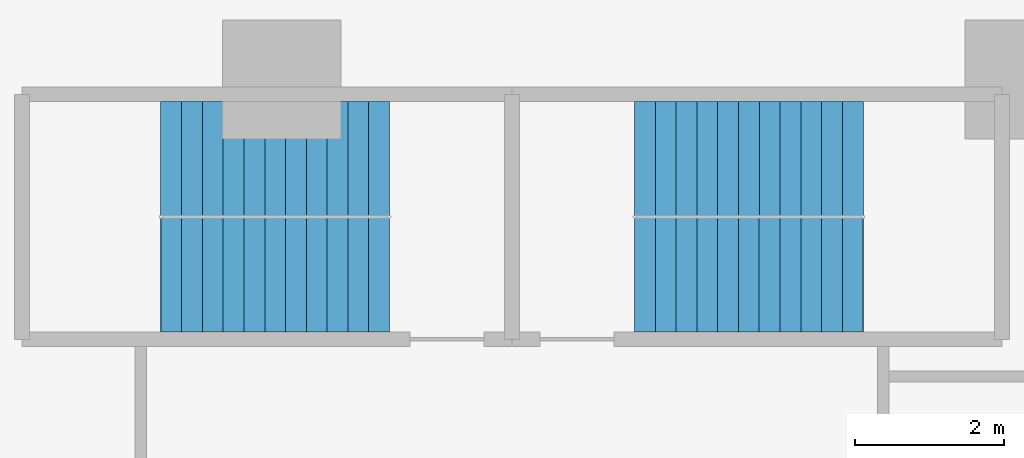
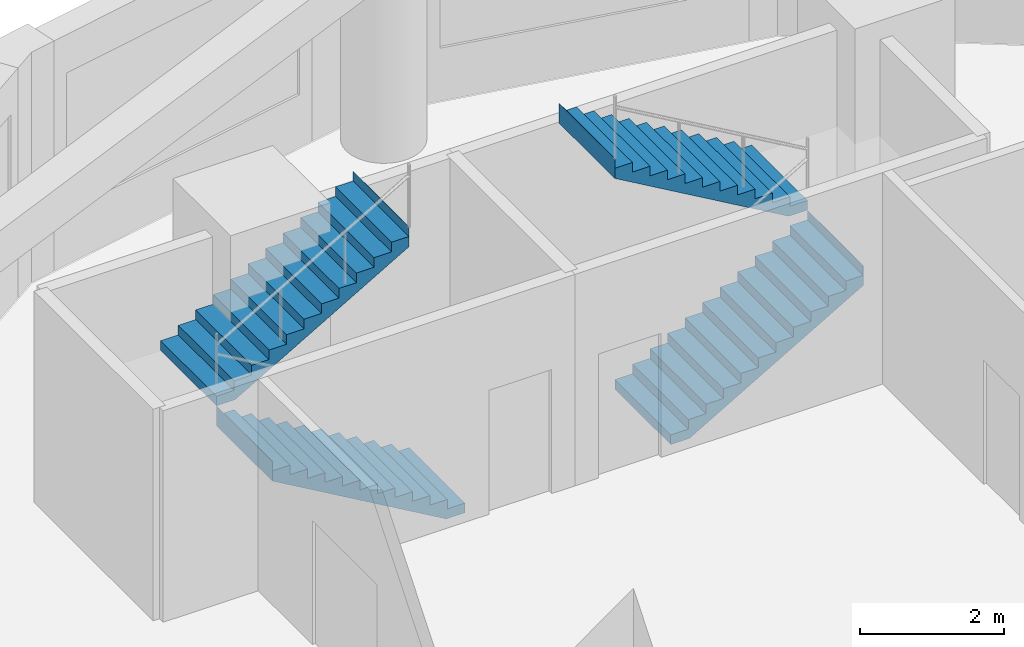
# One storey, part 8 of 10: 4 stair flights, 2 elements without a shape of their own.
"""IFC4 building model written with IfcOpenShell, lengths in metres."""

from ifc_helpers import new_model, si_unit, direction, frame, origin, place, context, subcontext, project, spatial, polyline, outline, extrude, material, type_object, element, aggregate, save


model = new_model("IFC4")

# Units and contexts
model_context = context("Model", 3, precision=1e-05, world=origin(), true_north=direction((0.0, 1.0)))
body_context = subcontext(model_context, "Body", "Model", "MODEL_VIEW")
ifc_project = project(units=[si_unit("LENGTHUNIT", "METRE"), si_unit("AREAUNIT", "SQUARE_METRE"), si_unit("VOLUMEUNIT", "CUBIC_METRE"), si_unit("PLANEANGLEUNIT", "RADIAN"), si_unit("MASSUNIT", "GRAM", prefix="KILO")], contexts=[model_context])

# Site, building, storey
site_placement = place(None, origin())
site = spatial("IfcSite", under=ifc_project, at=site_placement, CompositionType="ELEMENT")
building_placement = place(site_placement, origin())
building = spatial("IfcBuilding", under=site, at=building_placement, Name="Qaws Garden Tower", CompositionType="ELEMENT")
storey_placement = place(building_placement, frame((0.0, 0.0, 35.39990234375)))
storey = spatial("IfcBuildingStorey", under=building, at=storey_placement, Name="L08", CompositionType="ELEMENT", Elevation=35.39990234375)

# Stair, stair flights
ifc_material_1 = material(Name="Concrete C40", Category="concrete")
stair_type = type_object("IfcStairType", Name="Exit stair 1350", PredefinedType="HALF_TURN_STAIR", material=ifc_material_1)
placement = place(storey_placement, origin())
stair_1 = element("IfcStair", 1, at=placement, inside=storey, type_object=stair_type, Name="Stair 6", PredefinedType="HALF_TURN_STAIR")
ifc_material_2 = material(Name="Concrete C40", Category="concrete")
stair_flight_type = type_object("IfcStairFlightType", Name="Stair flight 1350", PredefinedType="STRAIGHT", material=ifc_material_2)
stair_flight_1_placement = place(storey_placement, frame((11.449951171875, 67.375, 0.0), z_axis=(0.0, 0.0, 1.0), x_axis=(-1.0, 0.0, 0.0)))
stair_flight_1 = element("IfcStairFlight", 2, at=stair_flight_1_placement, type_object=stair_flight_type, Name="ST6 flight 1", NumberOfRisers=12, NumberOfTreads=11, PredefinedType="STRAIGHT", RiserHeight=0.1625, TreadLength=0.28, context=body_context, shape_type="SweptSolid", body=[
    extrude(outline(polyline([(-0.0029296875, 0.0), (-0.0029296875, 0.16259765625), (0.0, 0.16259765625), (0.280029296875, 0.16259765625), (0.280029296875, 0.324951171875), (0.56005859375, 0.324951171875), (0.56005859375, 0.487548828125), (0.840087890625, 0.487548828125), (0.840087890625, 0.64990234375), (1.1201171875, 0.64990234375), (1.1201171875, 0.8125), (1.39990234375, 0.8125), (1.39990234375, 0.97509765625), (1.679931640625, 0.97509765625), (1.679931640625, 1.137451171875), (1.9599609375, 1.137451171875), (1.9599609375, 1.300048828125), (2.239990234375, 1.300048828125), (2.239990234375, 1.46240234375), (2.52001953125, 1.46240234375), (2.52001953125, 1.625), (2.800048828125, 1.625), (2.800048828125, 1.78759765625), (3.080078125, 1.78759765625), (3.080078125, 1.949951171875), (3.0830078125, 1.949951171875), (3.0830078125, 1.6142578125), (3.080078125, 1.6142578125), (0.298583984375, 0.0), (-0.0029296875, 0.0)])), frame((0.0, 0.77490234375, 0.0), z_axis=(0.0, -1.0, 0.0), x_axis=(1.0, 0.0, 0.0)), (0.0, 0.0, 1.0), 1.550048828125),
])
stair_flight_2_placement = place(storey_placement, frame((8.3701171875, 68.925048828125, 1.9501953125), z_axis=(0.0, 0.0, 1.0), x_axis=(1.0, 0.0, 0.0)))
stair_flight_2 = element("IfcStairFlight", 3, at=stair_flight_2_placement, type_object=stair_flight_type, Name="ST6 flight 2", NumberOfRisers=12, NumberOfTreads=11, PredefinedType="STRAIGHT", RiserHeight=0.1625, TreadLength=0.28, context=body_context, shape_type="SweptSolid", body=[
    extrude(outline(polyline([(-0.0029296875, 0.0), (-0.0029296875, 0.16259765625), (0.0, 0.16259765625), (0.280029296875, 0.16259765625), (0.280029296875, 0.324951171875), (0.56005859375, 0.324951171875), (0.56005859375, 0.487548828125), (0.840087890625, 0.487548828125), (0.840087890625, 0.64990234375), (1.1201171875, 0.64990234375), (1.1201171875, 0.8125), (1.39990234375, 0.8125), (1.39990234375, 0.97509765625), (1.679931640625, 0.97509765625), (1.679931640625, 1.137451171875), (1.9599609375, 1.137451171875), (1.9599609375, 1.300048828125), (2.239990234375, 1.300048828125), (2.239990234375, 1.46240234375), (2.52001953125, 1.46240234375), (2.52001953125, 1.625), (2.800048828125, 1.625), (2.800048828125, 1.78759765625), (3.080078125, 1.78759765625), (3.080078125, 1.949951171875), (3.0830078125, 1.949951171875), (3.0830078125, 1.6142578125), (3.080078125, 1.6142578125), (0.298583984375, 0.0), (-0.0029296875, 0.0)])), frame((0.0, 0.77490234375, 0.0), z_axis=(0.0, -1.0, 0.0), x_axis=(1.0, 0.0, 0.0)), (0.0, 0.0, 1.0), 1.550048828125),
])
aggregate(stair_1, [stair_flight_1, stair_flight_2])

stair_2 = element("IfcStair", 4, at=placement, inside=storey, type_object=stair_type, Name="Stair 7", PredefinedType="HALF_TURN_STAIR")
stair_flight_3_placement = place(storey_placement, frame((14.75, 67.375, 0.0), z_axis=(0.0, 0.0, 1.0), x_axis=(1.0, 0.0, 0.0)))
stair_flight_3 = element("IfcStairFlight", 5, at=stair_flight_3_placement, type_object=stair_flight_type, Name="ST7 flight 1", NumberOfRisers=12, NumberOfTreads=11, PredefinedType="STRAIGHT", RiserHeight=0.1625, TreadLength=0.28, context=body_context, shape_type="SweptSolid", body=[
    extrude(outline(polyline([(-0.0029296875, 0.0), (-0.0029296875, 0.16259765625), (0.0, 0.16259765625), (0.280029296875, 0.16259765625), (0.280029296875, 0.324951171875), (0.56005859375, 0.324951171875), (0.56005859375, 0.487548828125), (0.840087890625, 0.487548828125), (0.840087890625, 0.64990234375), (1.1201171875, 0.64990234375), (1.1201171875, 0.8125), (1.39990234375, 0.8125), (1.39990234375, 0.97509765625), (1.679931640625, 0.97509765625), (1.679931640625, 1.137451171875), (1.9599609375, 1.137451171875), (1.9599609375, 1.300048828125), (2.239990234375, 1.300048828125), (2.239990234375, 1.46240234375), (2.52001953125, 1.46240234375), (2.52001953125, 1.625), (2.800048828125, 1.625), (2.800048828125, 1.78759765625), (3.080078125, 1.78759765625), (3.080078125, 1.949951171875), (3.0830078125, 1.949951171875), (3.0830078125, 1.6142578125), (3.080078125, 1.6142578125), (0.298583984375, 0.0), (-0.0029296875, 0.0)])), frame((0.0, 0.77490234375, 0.0), z_axis=(0.0, -1.0, 0.0), x_axis=(1.0, 0.0, 0.0)), (0.0, 0.0, 1.0), 1.550048828125),
])
stair_flight_4_placement = place(storey_placement, frame((17.830078125, 68.925048828125, 1.9501953125), z_axis=(0.0, 0.0, 1.0), x_axis=(-1.0, 0.0, 0.0)))
stair_flight_4 = element("IfcStairFlight", 6, at=stair_flight_4_placement, type_object=stair_flight_type, Name="ST7 flight 2", NumberOfRisers=12, NumberOfTreads=11, PredefinedType="STRAIGHT", RiserHeight=0.1625, TreadLength=0.28, context=body_context, shape_type="SweptSolid", body=[
    extrude(outline(polyline([(-0.0029296875, 0.0), (-0.0029296875, 0.16259765625), (0.0, 0.16259765625), (0.280029296875, 0.16259765625), (0.280029296875, 0.324951171875), (0.56005859375, 0.324951171875), (0.56005859375, 0.487548828125), (0.840087890625, 0.487548828125), (0.840087890625, 0.64990234375), (1.1201171875, 0.64990234375), (1.1201171875, 0.8125), (1.39990234375, 0.8125), (1.39990234375, 0.97509765625), (1.679931640625, 0.97509765625), (1.679931640625, 1.137451171875), (1.9599609375, 1.137451171875), (1.9599609375, 1.300048828125), (2.239990234375, 1.300048828125), (2.239990234375, 1.46240234375), (2.52001953125, 1.46240234375), (2.52001953125, 1.625), (2.800048828125, 1.625), (2.800048828125, 1.78759765625), (3.080078125, 1.78759765625), (3.080078125, 1.949951171875), (3.0830078125, 1.949951171875), (3.0830078125, 1.6142578125), (3.080078125, 1.6142578125), (0.298583984375, 0.0), (-0.0029296875, 0.0)])), frame((0.0, 0.77490234375, 0.0), z_axis=(0.0, -1.0, 0.0), x_axis=(1.0, 0.0, 0.0)), (0.0, 0.0, 1.0), 1.550048828125),
])
aggregate(stair_2, [stair_flight_3, stair_flight_4])

save(model, "model.ifc")
